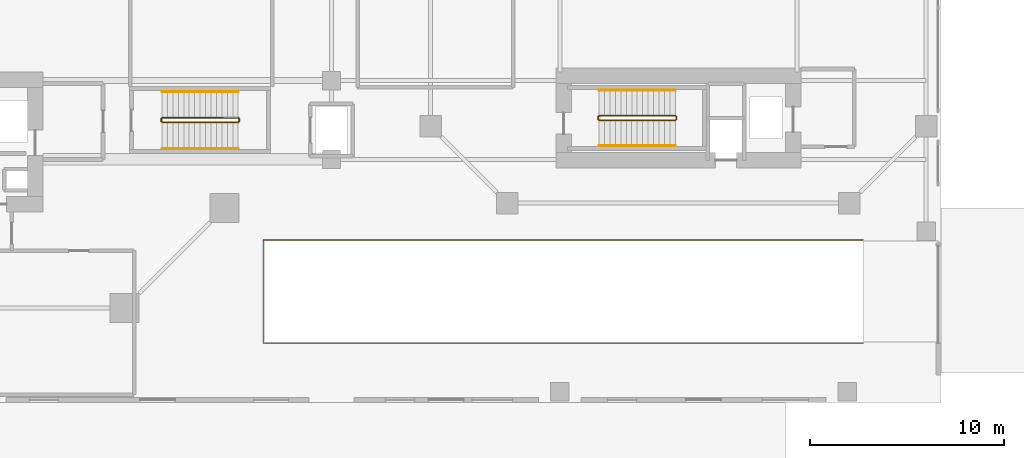
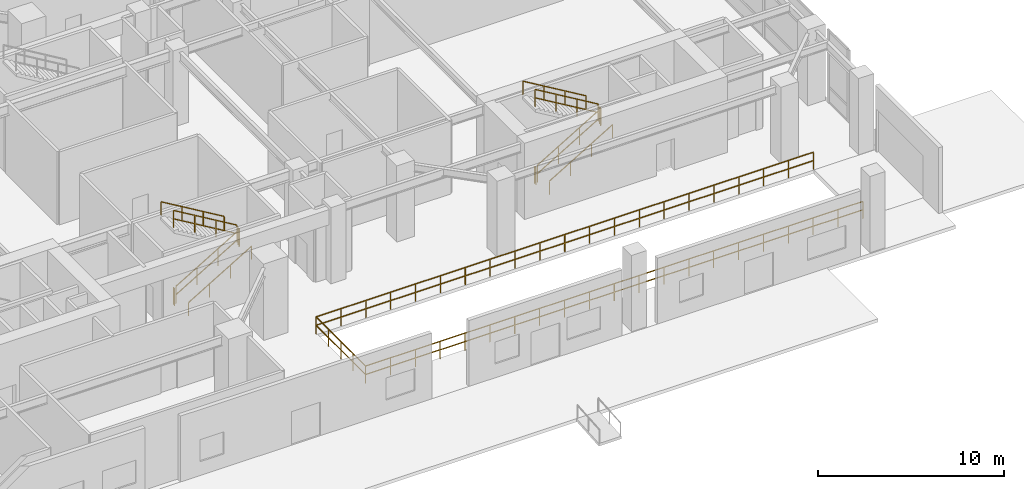
# One storey, part 15 of 18: 13 railings.
"""IFC4 building model written with IfcOpenShell, lengths in metres."""

from ifc_helpers import new_model, si_unit, direction, frame, origin, origin_2d, place, context, subcontext, project, spatial, rectangle, extrude, material, type_object, element, save


model = new_model("IFC4")

# Units and contexts
model_context = context("Model", 3, precision=1e-05, world=origin(), true_north=direction((0.0, 1.0)))
body_context = subcontext(model_context, "Body", "Model", "MODEL_VIEW")
ifc_project = project(units=[si_unit("LENGTHUNIT", "METRE"), si_unit("AREAUNIT", "SQUARE_METRE"), si_unit("VOLUMEUNIT", "CUBIC_METRE"), si_unit("PLANEANGLEUNIT", "RADIAN"), si_unit("MASSUNIT", "GRAM", prefix="KILO"), si_unit("THERMODYNAMICTEMPERATUREUNIT", "KELVIN"), si_unit("POWERUNIT", "WATT")], contexts=[model_context])

# Site, building, storey
site_placement = place(None, origin())
site = spatial("IfcSite", under=ifc_project, at=site_placement, CompositionType="ELEMENT")
building_placement = place(site_placement, origin())
building = spatial("IfcBuilding", under=site, at=building_placement, Name="Qiaomeng Ring Towers", CompositionType="ELEMENT")
storey_placement = place(building_placement, origin())
storey = spatial("IfcBuildingStorey", under=building, at=storey_placement, Name="L00", CompositionType="ELEMENT", Elevation=0.0)

# Railings
ifc_material_1 = material(Name="Galvanised steel", Category="steel")
railing_type_1 = type_object("IfcRailingType", Name="ARC-RL-GUARD", PredefinedType="GUARDRAIL", material=ifc_material_1)
railing_1_placement = place(storey_placement, frame((56.419921875, 14.510009765625, 0.166748046875)))
element("IfcRailing", 1, at=railing_1_placement, inside=storey, type_object=railing_type_1, Name="L00 ST6 stair guard 1", PredefinedType="GUARDRAIL", context=body_context, shape_type="SweptSolid", body=[
    extrude(rectangle(XDim=0.048095703125, YDim=0.048095703125, at=origin_2d()), frame((0.0, 0.0, 1.1259765625), z_axis=(0.859310244771, 0.0, 0.511454693235), x_axis=(0.0, 1.0, 0.0)), (0.0, 0.0, 1.0), 4.56201171875),
    extrude(rectangle(XDim=0.048095703125, YDim=0.048095703125, at=origin_2d()), frame((0.0, 0.0, 0.574951171875), z_axis=(0.859310244771, 0.0, 0.511454693235), x_axis=(0.0, 1.0, 0.0)), (0.0, 0.0, 1.0), 4.56201171875),
    extrude(rectangle(XDim=0.0419921875, YDim=0.0419921875, at=origin_2d()), origin(), (0.0, 0.0, 1.0), 1.101806640625),
    extrude(rectangle(XDim=0.0419921875, YDim=0.0419921875, at=origin_2d()), frame((1.306640625, 0.0, 0.77783203125)), (0.0, 0.0, 1.0), 1.101806640625),
    extrude(rectangle(XDim=0.0419921875, YDim=0.0419921875, at=origin_2d()), frame((2.613525390625, 0.0, 1.555419921875)), (0.0, 0.0, 1.0), 1.101806640625),
    extrude(rectangle(XDim=0.0419921875, YDim=0.0419921875, at=origin_2d()), frame((3.920166015625, 0.0, 2.333251953125)), (0.0, 0.0, 1.0), 1.101806640625),
])
railing_2_placement = place(storey_placement, frame((60.389892578125, 14.56005859375, 2.5)))
element("IfcRailing", 2, at=railing_2_placement, inside=storey, type_object=railing_type_1, Name="L00 ST6 stair guard 2", PredefinedType="GUARDRAIL", context=body_context, shape_type="SweptSolid", body=[
    extrude(rectangle(XDim=0.048095703125, YDim=0.048095703125, at=origin_2d()), frame((0.0, 0.0, 1.1259765625), z_axis=(0.0, 1.0, 0.0), x_axis=(-1.0, 0.0, 0.0)), (0.0, 0.0, 1.0), 0.139892578125),
    extrude(rectangle(XDim=0.048095703125, YDim=0.048095703125, at=origin_2d()), frame((0.0, 0.0, 0.574951171875), z_axis=(0.0, 1.0, 0.0), x_axis=(-1.0, 0.0, 0.0)), (0.0, 0.0, 1.0), 0.139892578125),
    extrude(rectangle(XDim=0.0419921875, YDim=0.0419921875, at=origin_2d()), origin(), (0.0, 0.0, 1.0), 1.101806640625),
    extrude(rectangle(XDim=0.0419921875, YDim=0.0419921875, at=origin_2d()), frame((0.0, 0.139892578125, 0.0)), (0.0, 0.0, 1.0), 1.101806640625),
])
railing_3_placement = place(storey_placement, frame((60.340087890625, 14.75, 2.666748046875)))
element("IfcRailing", 3, at=railing_3_placement, inside=storey, type_object=railing_type_1, Name="L00 ST6 stair guard 3", PredefinedType="GUARDRAIL", context=body_context, shape_type="SweptSolid", body=[
    extrude(rectangle(XDim=0.048095703125, YDim=0.048095703125, at=origin_2d()), frame((0.0, 0.0, 1.1259765625), z_axis=(-0.859310244771, 0.0, 0.511454693235), x_axis=(0.0, -1.0, 0.0)), (0.0, 0.0, 1.0), 4.56201171875),
    extrude(rectangle(XDim=0.048095703125, YDim=0.048095703125, at=origin_2d()), frame((0.0, 0.0, 0.574951171875), z_axis=(-0.859310244771, 0.0, 0.511454693235), x_axis=(0.0, -1.0, 0.0)), (0.0, 0.0, 1.0), 4.56201171875),
    extrude(rectangle(XDim=0.0419921875, YDim=0.0419921875, at=origin_2d()), origin(), (0.0, 0.0, 1.0), 1.101806640625),
    extrude(rectangle(XDim=0.0419921875, YDim=0.0419921875, at=origin_2d()), frame((-1.306640625, 0.0, 0.77783203125)), (0.0, 0.0, 1.0), 1.101806640625),
    extrude(rectangle(XDim=0.0419921875, YDim=0.0419921875, at=origin_2d()), frame((-2.613525390625, 0.0, 1.555419921875)), (0.0, 0.0, 1.0), 1.101806640625),
    extrude(rectangle(XDim=0.0419921875, YDim=0.0419921875, at=origin_2d()), frame((-3.920166015625, 0.0, 2.333251953125)), (0.0, 0.0, 1.0), 1.101806640625),
])
railing_4_placement = place(storey_placement, frame((56.3701171875, 14.56005859375, 0.0)))
element("IfcRailing", 4, at=railing_4_placement, inside=storey, type_object=railing_type_1, Name="L00 ST6 stair guard 4", PredefinedType="GUARDRAIL", context=body_context, shape_type="SweptSolid", body=[
    extrude(rectangle(XDim=0.048095703125, YDim=0.048095703125, at=origin_2d()), frame((0.0, 0.0, 1.1259765625), z_axis=(0.0, 1.0, 0.0), x_axis=(-1.0, 0.0, 0.0)), (0.0, 0.0, 1.0), 0.139892578125),
    extrude(rectangle(XDim=0.048095703125, YDim=0.048095703125, at=origin_2d()), frame((0.0, 0.0, 0.574951171875), z_axis=(0.0, 1.0, 0.0), x_axis=(-1.0, 0.0, 0.0)), (0.0, 0.0, 1.0), 0.139892578125),
    extrude(rectangle(XDim=0.0419921875, YDim=0.0419921875, at=origin_2d()), origin(), (0.0, 0.0, 1.0), 1.101806640625),
    extrude(rectangle(XDim=0.0419921875, YDim=0.0419921875, at=origin_2d()), frame((0.0, 0.139892578125, 0.0)), (0.0, 0.0, 1.0), 1.101806640625),
])
railing_5_placement = place(storey_placement, frame((33.929931640625, 14.39990234375, 0.166748046875)))
element("IfcRailing", 5, at=railing_5_placement, inside=storey, type_object=railing_type_1, Name="L00 ST8 stair guard 1", PredefinedType="GUARDRAIL", context=body_context, shape_type="SweptSolid", body=[
    extrude(rectangle(XDim=0.048095703125, YDim=0.048095703125, at=origin_2d()), frame((0.0, 0.0, 1.1259765625), z_axis=(0.859310244771, 0.0, 0.511454693235), x_axis=(0.0, 1.0, 0.0)), (0.0, 0.0, 1.0), 4.56201171875),
    extrude(rectangle(XDim=0.048095703125, YDim=0.048095703125, at=origin_2d()), frame((0.0, 0.0, 0.574951171875), z_axis=(0.859310244771, 0.0, 0.511454693235), x_axis=(0.0, 1.0, 0.0)), (0.0, 0.0, 1.0), 4.56201171875),
    extrude(rectangle(XDim=0.0419921875, YDim=0.0419921875, at=origin_2d()), origin(), (0.0, 0.0, 1.0), 1.101806640625),
    extrude(rectangle(XDim=0.0419921875, YDim=0.0419921875, at=origin_2d()), frame((1.306640625, 0.0, 0.77783203125)), (0.0, 0.0, 1.0), 1.101806640625),
    extrude(rectangle(XDim=0.0419921875, YDim=0.0419921875, at=origin_2d()), frame((2.613525390625, 0.0, 1.555419921875)), (0.0, 0.0, 1.0), 1.101806640625),
    extrude(rectangle(XDim=0.0419921875, YDim=0.0419921875, at=origin_2d()), frame((3.920166015625, 0.0, 2.333251953125)), (0.0, 0.0, 1.0), 1.101806640625),
])
railing_6_placement = place(storey_placement, frame((37.89990234375, 14.449951171875, 2.5)))
element("IfcRailing", 6, at=railing_6_placement, inside=storey, type_object=railing_type_1, Name="L00 ST8 stair guard 2", PredefinedType="GUARDRAIL", context=body_context, shape_type="SweptSolid", body=[
    extrude(rectangle(XDim=0.048095703125, YDim=0.048095703125, at=origin_2d()), frame((0.0, 0.0, 1.1259765625), z_axis=(0.0, 1.0, 0.0), x_axis=(-1.0, 0.0, 0.0)), (0.0, 0.0, 1.0), 0.14013671875),
    extrude(rectangle(XDim=0.048095703125, YDim=0.048095703125, at=origin_2d()), frame((0.0, 0.0, 0.574951171875), z_axis=(0.0, 1.0, 0.0), x_axis=(-1.0, 0.0, 0.0)), (0.0, 0.0, 1.0), 0.14013671875),
    extrude(rectangle(XDim=0.0419921875, YDim=0.0419921875, at=origin_2d()), origin(), (0.0, 0.0, 1.0), 1.101806640625),
    extrude(rectangle(XDim=0.0419921875, YDim=0.0419921875, at=origin_2d()), frame((0.0, 0.14013671875, 0.0)), (0.0, 0.0, 1.0), 1.101806640625),
])
railing_7_placement = place(storey_placement, frame((37.85009765625, 14.639892578125, 2.666748046875)))
element("IfcRailing", 7, at=railing_7_placement, inside=storey, type_object=railing_type_1, Name="L00 ST8 stair guard 3", PredefinedType="GUARDRAIL", context=body_context, shape_type="SweptSolid", body=[
    extrude(rectangle(XDim=0.048095703125, YDim=0.048095703125, at=origin_2d()), frame((0.0, 0.0, 1.1259765625), z_axis=(-0.859310244771, 0.0, 0.511454693235), x_axis=(0.0, -1.0, 0.0)), (0.0, 0.0, 1.0), 4.56201171875),
    extrude(rectangle(XDim=0.048095703125, YDim=0.048095703125, at=origin_2d()), frame((0.0, 0.0, 0.574951171875), z_axis=(-0.859310244771, 0.0, 0.511454693235), x_axis=(0.0, -1.0, 0.0)), (0.0, 0.0, 1.0), 4.56201171875),
    extrude(rectangle(XDim=0.0419921875, YDim=0.0419921875, at=origin_2d()), origin(), (0.0, 0.0, 1.0), 1.101806640625),
    extrude(rectangle(XDim=0.0419921875, YDim=0.0419921875, at=origin_2d()), frame((-1.306640625, 0.0, 0.77783203125)), (0.0, 0.0, 1.0), 1.101806640625),
    extrude(rectangle(XDim=0.0419921875, YDim=0.0419921875, at=origin_2d()), frame((-2.613525390625, 0.0, 1.555419921875)), (0.0, 0.0, 1.0), 1.101806640625),
    extrude(rectangle(XDim=0.0419921875, YDim=0.0419921875, at=origin_2d()), frame((-3.920166015625, 0.0, 2.333251953125)), (0.0, 0.0, 1.0), 1.101806640625),
])
railing_8_placement = place(storey_placement, frame((33.8798828125, 14.449951171875, 0.0)))
element("IfcRailing", 8, at=railing_8_placement, inside=storey, type_object=railing_type_1, Name="L00 ST8 stair guard 4", PredefinedType="GUARDRAIL", context=body_context, shape_type="SweptSolid", body=[
    extrude(rectangle(XDim=0.048095703125, YDim=0.048095703125, at=origin_2d()), frame((0.0, 0.0, 1.1259765625), z_axis=(0.0, 1.0, 0.0), x_axis=(-1.0, 0.0, 0.0)), (0.0, 0.0, 1.0), 0.14013671875),
    extrude(rectangle(XDim=0.048095703125, YDim=0.048095703125, at=origin_2d()), frame((0.0, 0.0, 0.574951171875), z_axis=(0.0, 1.0, 0.0), x_axis=(-1.0, 0.0, 0.0)), (0.0, 0.0, 1.0), 0.14013671875),
    extrude(rectangle(XDim=0.0419921875, YDim=0.0419921875, at=origin_2d()), origin(), (0.0, 0.0, 1.0), 1.101806640625),
    extrude(rectangle(XDim=0.0419921875, YDim=0.0419921875, at=origin_2d()), frame((0.0, 0.14013671875, 0.0)), (0.0, 0.0, 1.0), 1.101806640625),
])
railing_9_placement = place(storey_placement, frame((70.0, 3.0400390625, 0.0)))
element("IfcRailing", 9, at=railing_9_placement, inside=storey, type_object=railing_type_1, Name="L00 Vehicle Ramp R1 Well Guard", PredefinedType="GUARDRAIL", context=body_context, shape_type="SweptSolid", body=[
    extrude(rectangle(XDim=0.048095703125, YDim=0.048095703125, at=origin_2d()), frame((0.0, 0.0, 1.1259765625), z_axis=(-1.0, 0.0, 0.0), x_axis=(0.0, -1.0, 0.0)), (0.0, 0.0, 1.0), 30.860107421875),
    extrude(rectangle(XDim=0.048095703125, YDim=0.048095703125, at=origin_2d()), frame((0.0, 0.0, 0.574951171875), z_axis=(-1.0, 0.0, 0.0), x_axis=(0.0, -1.0, 0.0)), (0.0, 0.0, 1.0), 30.860107421875),
    extrude(rectangle(XDim=0.048095703125, YDim=0.048095703125, at=origin_2d()), frame((-30.860107421875, 0.0, 1.1259765625), z_axis=(0.0, 1.0, 0.0), x_axis=(-1.0, 0.0, 0.0)), (0.0, 0.0, 1.0), 5.320068359375),
    extrude(rectangle(XDim=0.048095703125, YDim=0.048095703125, at=origin_2d()), frame((-30.860107421875, 0.0, 0.574951171875), z_axis=(0.0, 1.0, 0.0), x_axis=(-1.0, 0.0, 0.0)), (0.0, 0.0, 1.0), 5.320068359375),
    extrude(rectangle(XDim=0.048095703125, YDim=0.048095703125, at=origin_2d()), frame((-30.860107421875, 5.320068359375, 1.1259765625), z_axis=(1.0, 0.0, 0.0), x_axis=(0.0, 1.0, 0.0)), (0.0, 0.0, 1.0), 30.860107421875),
    extrude(rectangle(XDim=0.048095703125, YDim=0.048095703125, at=origin_2d()), frame((-30.860107421875, 5.320068359375, 0.574951171875), z_axis=(1.0, 0.0, 0.0), x_axis=(0.0, 1.0, 0.0)), (0.0, 0.0, 1.0), 30.860107421875),
    extrude(rectangle(XDim=0.0419921875, YDim=0.0419921875, at=origin_2d()), origin(), (0.0, 0.0, 1.0), 1.101806640625),
    extrude(rectangle(XDim=0.0419921875, YDim=0.0419921875, at=origin_2d()), frame((-1.54296875, 0.0, 0.0)), (0.0, 0.0, 1.0), 1.101806640625),
    extrude(rectangle(XDim=0.0419921875, YDim=0.0419921875, at=origin_2d()), frame((-3.0859375, 0.0, 0.0)), (0.0, 0.0, 1.0), 1.101806640625),
    extrude(rectangle(XDim=0.0419921875, YDim=0.0419921875, at=origin_2d()), frame((-4.62890625, 0.0, 0.0)), (0.0, 0.0, 1.0), 1.101806640625),
    extrude(rectangle(XDim=0.0419921875, YDim=0.0419921875, at=origin_2d()), frame((-6.172119140625, 0.0, 0.0)), (0.0, 0.0, 1.0), 1.101806640625),
    extrude(rectangle(XDim=0.0419921875, YDim=0.0419921875, at=origin_2d()), frame((-7.715087890625, 0.0, 0.0)), (0.0, 0.0, 1.0), 1.101806640625),
    extrude(rectangle(XDim=0.0419921875, YDim=0.0419921875, at=origin_2d()), frame((-9.258056640625, 0.0, 0.0)), (0.0, 0.0, 1.0), 1.101806640625),
    extrude(rectangle(XDim=0.0419921875, YDim=0.0419921875, at=origin_2d()), frame((-10.801025390625, 0.0, 0.0)), (0.0, 0.0, 1.0), 1.101806640625),
    extrude(rectangle(XDim=0.0419921875, YDim=0.0419921875, at=origin_2d()), frame((-12.343994140625, 0.0, 0.0)), (0.0, 0.0, 1.0), 1.101806640625),
    extrude(rectangle(XDim=0.0419921875, YDim=0.0419921875, at=origin_2d()), frame((-13.886962890625, 0.0, 0.0)), (0.0, 0.0, 1.0), 1.101806640625),
    extrude(rectangle(XDim=0.0419921875, YDim=0.0419921875, at=origin_2d()), frame((-15.43017578125, 0.0, 0.0)), (0.0, 0.0, 1.0), 1.101806640625),
    extrude(rectangle(XDim=0.0419921875, YDim=0.0419921875, at=origin_2d()), frame((-16.97314453125, 0.0, 0.0)), (0.0, 0.0, 1.0), 1.101806640625),
    extrude(rectangle(XDim=0.0419921875, YDim=0.0419921875, at=origin_2d()), frame((-18.51611328125, 0.0, 0.0)), (0.0, 0.0, 1.0), 1.101806640625),
    extrude(rectangle(XDim=0.0419921875, YDim=0.0419921875, at=origin_2d()), frame((-20.05908203125, 0.0, 0.0)), (0.0, 0.0, 1.0), 1.101806640625),
    extrude(rectangle(XDim=0.0419921875, YDim=0.0419921875, at=origin_2d()), frame((-21.60205078125, 0.0, 0.0)), (0.0, 0.0, 1.0), 1.101806640625),
    extrude(rectangle(XDim=0.0419921875, YDim=0.0419921875, at=origin_2d()), frame((-23.14501953125, 0.0, 0.0)), (0.0, 0.0, 1.0), 1.101806640625),
    extrude(rectangle(XDim=0.0419921875, YDim=0.0419921875, at=origin_2d()), frame((-24.68798828125, 0.0, 0.0)), (0.0, 0.0, 1.0), 1.101806640625),
    extrude(rectangle(XDim=0.0419921875, YDim=0.0419921875, at=origin_2d()), frame((-26.231201171875, 0.0, 0.0)), (0.0, 0.0, 1.0), 1.101806640625),
    extrude(rectangle(XDim=0.0419921875, YDim=0.0419921875, at=origin_2d()), frame((-27.774169921875, 0.0, 0.0)), (0.0, 0.0, 1.0), 1.101806640625),
    extrude(rectangle(XDim=0.0419921875, YDim=0.0419921875, at=origin_2d()), frame((-29.317138671875, 0.0, 0.0)), (0.0, 0.0, 1.0), 1.101806640625),
    extrude(rectangle(XDim=0.0419921875, YDim=0.0419921875, at=origin_2d()), frame((-30.860107421875, 0.0, 0.0)), (0.0, 0.0, 1.0), 1.101806640625),
    extrude(rectangle(XDim=0.0419921875, YDim=0.0419921875, at=origin_2d()), frame((-30.860107421875, 1.330078125, 0.0)), (0.0, 0.0, 1.0), 1.101806640625),
    extrude(rectangle(XDim=0.0419921875, YDim=0.0419921875, at=origin_2d()), frame((-30.860107421875, 2.66015625, 0.0)), (0.0, 0.0, 1.0), 1.101806640625),
    extrude(rectangle(XDim=0.0419921875, YDim=0.0419921875, at=origin_2d()), frame((-30.860107421875, 3.989990234375, 0.0)), (0.0, 0.0, 1.0), 1.101806640625),
    extrude(rectangle(XDim=0.0419921875, YDim=0.0419921875, at=origin_2d()), frame((-30.860107421875, 5.320068359375, 0.0)), (0.0, 0.0, 1.0), 1.101806640625),
    extrude(rectangle(XDim=0.0419921875, YDim=0.0419921875, at=origin_2d()), frame((-29.317138671875, 5.320068359375, 0.0)), (0.0, 0.0, 1.0), 1.101806640625),
    extrude(rectangle(XDim=0.0419921875, YDim=0.0419921875, at=origin_2d()), frame((-27.774169921875, 5.320068359375, 0.0)), (0.0, 0.0, 1.0), 1.101806640625),
    extrude(rectangle(XDim=0.0419921875, YDim=0.0419921875, at=origin_2d()), frame((-26.231201171875, 5.320068359375, 0.0)), (0.0, 0.0, 1.0), 1.101806640625),
    extrude(rectangle(XDim=0.0419921875, YDim=0.0419921875, at=origin_2d()), frame((-24.68798828125, 5.320068359375, 0.0)), (0.0, 0.0, 1.0), 1.101806640625),
    extrude(rectangle(XDim=0.0419921875, YDim=0.0419921875, at=origin_2d()), frame((-23.14501953125, 5.320068359375, 0.0)), (0.0, 0.0, 1.0), 1.101806640625),
    extrude(rectangle(XDim=0.0419921875, YDim=0.0419921875, at=origin_2d()), frame((-21.60205078125, 5.320068359375, 0.0)), (0.0, 0.0, 1.0), 1.101806640625),
    extrude(rectangle(XDim=0.0419921875, YDim=0.0419921875, at=origin_2d()), frame((-20.05908203125, 5.320068359375, 0.0)), (0.0, 0.0, 1.0), 1.101806640625),
    extrude(rectangle(XDim=0.0419921875, YDim=0.0419921875, at=origin_2d()), frame((-18.51611328125, 5.320068359375, 0.0)), (0.0, 0.0, 1.0), 1.101806640625),
    extrude(rectangle(XDim=0.0419921875, YDim=0.0419921875, at=origin_2d()), frame((-16.97314453125, 5.320068359375, 0.0)), (0.0, 0.0, 1.0), 1.101806640625),
    extrude(rectangle(XDim=0.0419921875, YDim=0.0419921875, at=origin_2d()), frame((-15.43017578125, 5.320068359375, 0.0)), (0.0, 0.0, 1.0), 1.101806640625),
    extrude(rectangle(XDim=0.0419921875, YDim=0.0419921875, at=origin_2d()), frame((-13.886962890625, 5.320068359375, 0.0)), (0.0, 0.0, 1.0), 1.101806640625),
    extrude(rectangle(XDim=0.0419921875, YDim=0.0419921875, at=origin_2d()), frame((-12.343994140625, 5.320068359375, 0.0)), (0.0, 0.0, 1.0), 1.101806640625),
    extrude(rectangle(XDim=0.0419921875, YDim=0.0419921875, at=origin_2d()), frame((-10.801025390625, 5.320068359375, 0.0)), (0.0, 0.0, 1.0), 1.101806640625),
    extrude(rectangle(XDim=0.0419921875, YDim=0.0419921875, at=origin_2d()), frame((-9.258056640625, 5.320068359375, 0.0)), (0.0, 0.0, 1.0), 1.101806640625),
    extrude(rectangle(XDim=0.0419921875, YDim=0.0419921875, at=origin_2d()), frame((-7.715087890625, 5.320068359375, 0.0)), (0.0, 0.0, 1.0), 1.101806640625),
    extrude(rectangle(XDim=0.0419921875, YDim=0.0419921875, at=origin_2d()), frame((-6.172119140625, 5.320068359375, 0.0)), (0.0, 0.0, 1.0), 1.101806640625),
    extrude(rectangle(XDim=0.0419921875, YDim=0.0419921875, at=origin_2d()), frame((-4.62890625, 5.320068359375, 0.0)), (0.0, 0.0, 1.0), 1.101806640625),
    extrude(rectangle(XDim=0.0419921875, YDim=0.0419921875, at=origin_2d()), frame((-3.0859375, 5.320068359375, 0.0)), (0.0, 0.0, 1.0), 1.101806640625),
    extrude(rectangle(XDim=0.0419921875, YDim=0.0419921875, at=origin_2d()), frame((-1.54296875, 5.320068359375, 0.0)), (0.0, 0.0, 1.0), 1.101806640625),
    extrude(rectangle(XDim=0.0419921875, YDim=0.0419921875, at=origin_2d()), frame((0.0, 5.320068359375, 0.0)), (0.0, 0.0, 1.0), 1.101806640625),
])
ifc_material_2 = material(Name="Stainless steel 316", Category="steel")
railing_type_2 = type_object("IfcRailingType", Name="ARC-RL-HAND", PredefinedType="HANDRAIL", material=ifc_material_2)
railing_10_placement = place(storey_placement, frame((56.419921875, 13.2099609375, 0.166748046875)))
element("IfcRailing", 10, at=railing_10_placement, inside=storey, type_object=railing_type_2, Name="L00 ST6 stair handrail 1", PredefinedType="HANDRAIL", context=body_context, shape_type="SweptSolid", body=[
    extrude(rectangle(XDim=0.048095703125, YDim=0.048095703125, at=origin_2d()), frame((0.0, 0.0, 0.8759765625), z_axis=(0.859310244771, 0.0, 0.511454693235), x_axis=(0.0, 1.0, 0.0)), (0.0, 0.0, 1.0), 4.56201171875),
    extrude(rectangle(XDim=0.0419921875, YDim=0.0419921875, at=origin_2d()), origin(), (0.0, 0.0, 1.0), 0.851806640625),
    extrude(rectangle(XDim=0.0419921875, YDim=0.0419921875, at=origin_2d()), frame((1.306640625, 0.0, 0.77783203125)), (0.0, 0.0, 1.0), 0.851806640625),
    extrude(rectangle(XDim=0.0419921875, YDim=0.0419921875, at=origin_2d()), frame((2.613525390625, 0.0, 1.555419921875)), (0.0, 0.0, 1.0), 0.851806640625),
    extrude(rectangle(XDim=0.0419921875, YDim=0.0419921875, at=origin_2d()), frame((3.920166015625, 0.0, 2.333251953125)), (0.0, 0.0, 1.0), 0.851806640625),
])
railing_11_placement = place(storey_placement, frame((60.340087890625, 16.050048828125, 2.666748046875)))
element("IfcRailing", 11, at=railing_11_placement, inside=storey, type_object=railing_type_2, Name="L00 ST6 stair handrail 2", PredefinedType="HANDRAIL", context=body_context, shape_type="SweptSolid", body=[
    extrude(rectangle(XDim=0.048095703125, YDim=0.048095703125, at=origin_2d()), frame((0.0, 0.0, 0.8759765625), z_axis=(-0.859310244771, 0.0, 0.511454693235), x_axis=(0.0, -1.0, 0.0)), (0.0, 0.0, 1.0), 4.56201171875),
    extrude(rectangle(XDim=0.0419921875, YDim=0.0419921875, at=origin_2d()), origin(), (0.0, 0.0, 1.0), 0.851806640625),
    extrude(rectangle(XDim=0.0419921875, YDim=0.0419921875, at=origin_2d()), frame((-1.306640625, 0.0, 0.77783203125)), (0.0, 0.0, 1.0), 0.851806640625),
    extrude(rectangle(XDim=0.0419921875, YDim=0.0419921875, at=origin_2d()), frame((-2.613525390625, 0.0, 1.555419921875)), (0.0, 0.0, 1.0), 0.851806640625),
    extrude(rectangle(XDim=0.0419921875, YDim=0.0419921875, at=origin_2d()), frame((-3.920166015625, 0.0, 2.333251953125)), (0.0, 0.0, 1.0), 0.851806640625),
])
railing_12_placement = place(storey_placement, frame((33.929931640625, 13.050048828125, 0.166748046875)))
element("IfcRailing", 12, at=railing_12_placement, inside=storey, type_object=railing_type_2, Name="L00 ST8 stair handrail 1", PredefinedType="HANDRAIL", context=body_context, shape_type="SweptSolid", body=[
    extrude(rectangle(XDim=0.048095703125, YDim=0.048095703125, at=origin_2d()), frame((0.0, 0.0, 0.8759765625), z_axis=(0.859310244771, 0.0, 0.511454693235), x_axis=(0.0, 1.0, 0.0)), (0.0, 0.0, 1.0), 4.56201171875),
    extrude(rectangle(XDim=0.0419921875, YDim=0.0419921875, at=origin_2d()), origin(), (0.0, 0.0, 1.0), 0.851806640625),
    extrude(rectangle(XDim=0.0419921875, YDim=0.0419921875, at=origin_2d()), frame((1.306640625, 0.0, 0.77783203125)), (0.0, 0.0, 1.0), 0.851806640625),
    extrude(rectangle(XDim=0.0419921875, YDim=0.0419921875, at=origin_2d()), frame((2.613525390625, 0.0, 1.555419921875)), (0.0, 0.0, 1.0), 0.851806640625),
    extrude(rectangle(XDim=0.0419921875, YDim=0.0419921875, at=origin_2d()), frame((3.920166015625, 0.0, 2.333251953125)), (0.0, 0.0, 1.0), 0.851806640625),
])
railing_13_placement = place(storey_placement, frame((37.85009765625, 15.989990234375, 2.666748046875)))
element("IfcRailing", 13, at=railing_13_placement, inside=storey, type_object=railing_type_2, Name="L00 ST8 stair handrail 2", PredefinedType="HANDRAIL", context=body_context, shape_type="SweptSolid", body=[
    extrude(rectangle(XDim=0.048095703125, YDim=0.048095703125, at=origin_2d()), frame((0.0, 0.0, 0.8759765625), z_axis=(-0.859310244771, 0.0, 0.511454693235), x_axis=(0.0, -1.0, 0.0)), (0.0, 0.0, 1.0), 4.56201171875),
    extrude(rectangle(XDim=0.0419921875, YDim=0.0419921875, at=origin_2d()), origin(), (0.0, 0.0, 1.0), 0.851806640625),
    extrude(rectangle(XDim=0.0419921875, YDim=0.0419921875, at=origin_2d()), frame((-1.306640625, 0.0, 0.77783203125)), (0.0, 0.0, 1.0), 0.851806640625),
    extrude(rectangle(XDim=0.0419921875, YDim=0.0419921875, at=origin_2d()), frame((-2.613525390625, 0.0, 1.555419921875)), (0.0, 0.0, 1.0), 0.851806640625),
    extrude(rectangle(XDim=0.0419921875, YDim=0.0419921875, at=origin_2d()), frame((-3.920166015625, 0.0, 2.333251953125)), (0.0, 0.0, 1.0), 0.851806640625),
])

save(model, "model.ifc")
